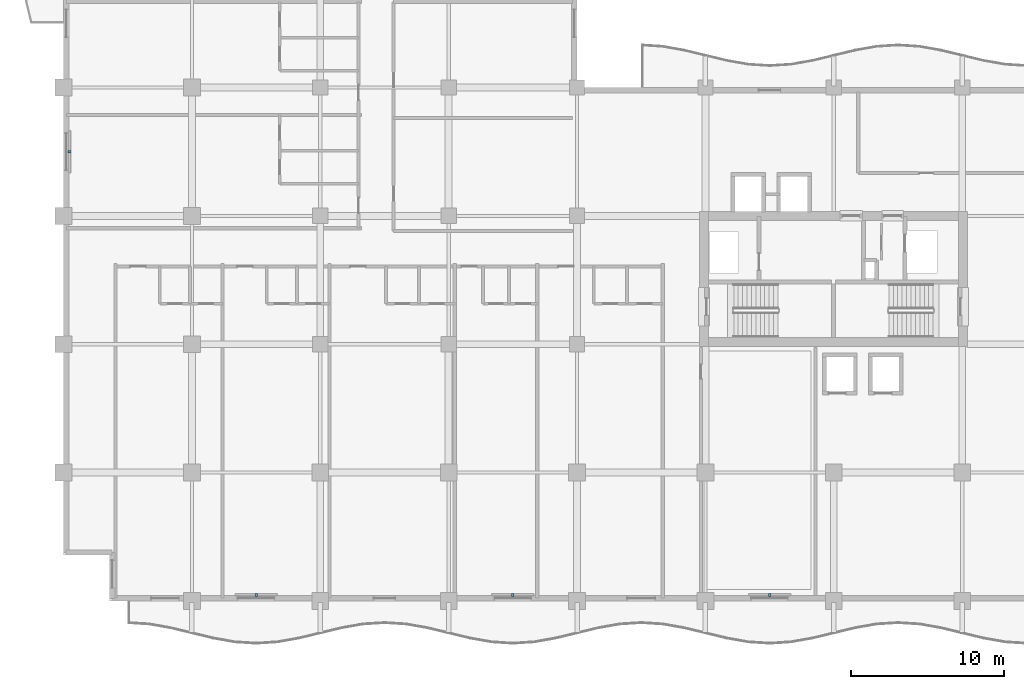
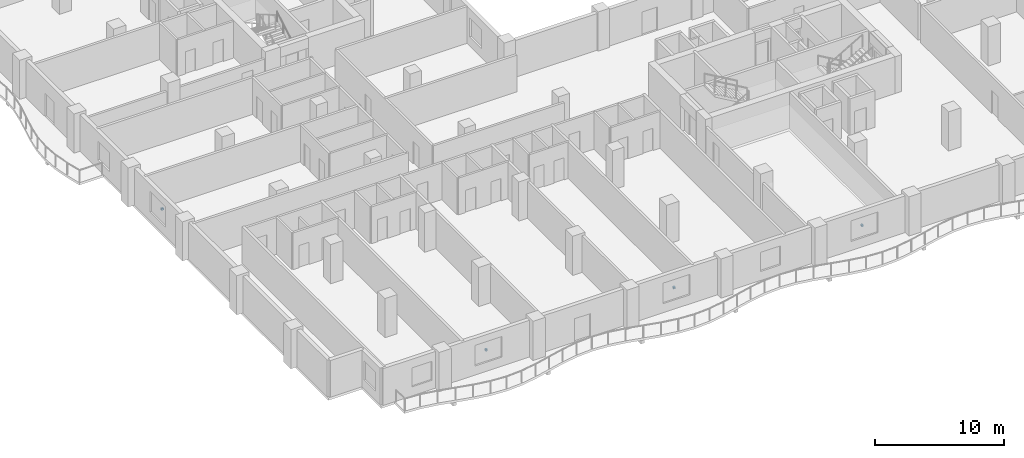
# One storey, part 16 of 21: 4 discrete accessories.
"""IFC4 building model written with IfcOpenShell, lengths in metres."""

from ifc_helpers import new_model, si_unit, direction, frame, origin, origin_2d, place, context, subcontext, project, spatial, rectangle, extrude, material, type_object, element, save


model = new_model("IFC4")

# Units and contexts
model_context = context("Model", 3, precision=1e-05, world=origin(), true_north=direction((0.0, 1.0)))
body_context = subcontext(model_context, "Body", "Model", "MODEL_VIEW")
ifc_project = project(units=[si_unit("LENGTHUNIT", "METRE"), si_unit("AREAUNIT", "SQUARE_METRE"), si_unit("VOLUMEUNIT", "CUBIC_METRE"), si_unit("PLANEANGLEUNIT", "RADIAN"), si_unit("MASSUNIT", "GRAM", prefix="KILO")], contexts=[model_context])

# Site, building, storey
site_placement = place(None, origin())
site = spatial("IfcSite", under=ifc_project, at=site_placement, CompositionType="ELEMENT")
building_placement = place(site_placement, origin())
building = spatial("IfcBuilding", under=site, at=building_placement, Name="Koriwani Terraces Tower", CompositionType="ELEMENT")
storey_placement = place(building_placement, frame((0.0, 0.0, 197.60009765625)))
storey = spatial("IfcBuildingStorey", under=building, at=storey_placement, Name="L48", CompositionType="ELEMENT", Elevation=197.60009765625)

# Discrete accessories
ifc_material = material(Name="Steel ASTM A572 Grade 50", Category="steel")
discrete_accessory_type = type_object("IfcDiscreteAccessoryType", Name="BAGUETTE_STANDOFF_BRACKET", PredefinedType="BRACKET", material=ifc_material)
for number, where, z_axis, x_axis, name in (
    (1, (0.389892578125, 29.39990234375, 1.64501953125), (0.0, 0.0, 1.0), (0.0, 1.0, 0.0), "L48 Terracotta Baguette Bracket (W-9)"),
    (2, (12.60009765625, 0.389892578125, 1.64501953125), (0.0, 0.0, 1.0), (-1.0, 0.0, 0.0), "L48 Terracotta Baguette Bracket (S-3)"),
    (3, (29.39990234375, 0.389892578125, 1.64501953125), (0.0, 0.0, 1.0), (-1.0, 0.0, 0.0), "L48 Terracotta Baguette Bracket (S-9)"),
    (4, (46.199951171875, 0.389892578125, 1.64501953125), (0.0, 0.0, 1.0), (-1.0, 0.0, 0.0), "L48 Terracotta Baguette Bracket (S-15)"),
):
    element("IfcDiscreteAccessory", number, at=place(storey_placement, frame(where, z_axis=z_axis, x_axis=x_axis)), inside=storey, type_object=discrete_accessory_type, Name=name, PredefinedType="BRACKET", context=body_context, shape_type="SweptSolid", body=[
        extrude(rectangle(XDim=0.159912109375, YDim=0.199951171875, at=origin_2d()), origin(), (0.0, 0.0, 1.0), 0.179931640625),
    ])

save(model, "model.ifc")
